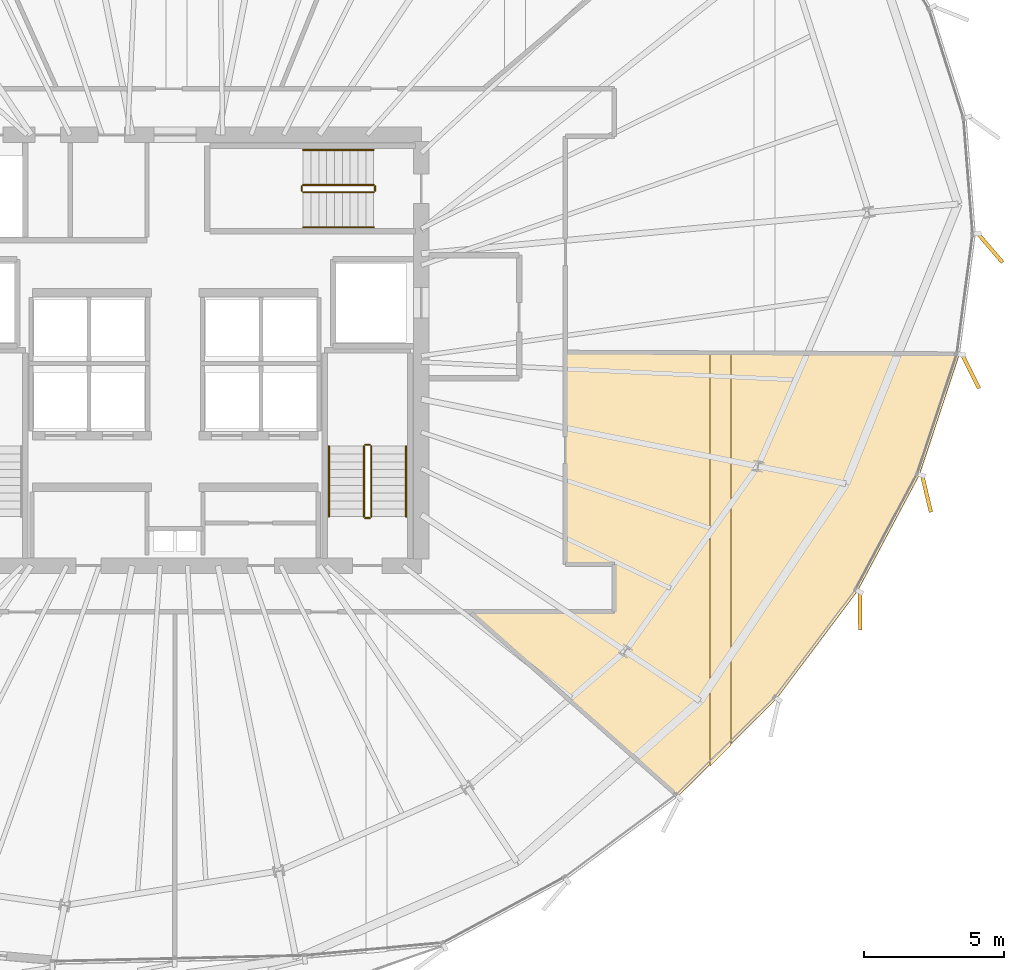
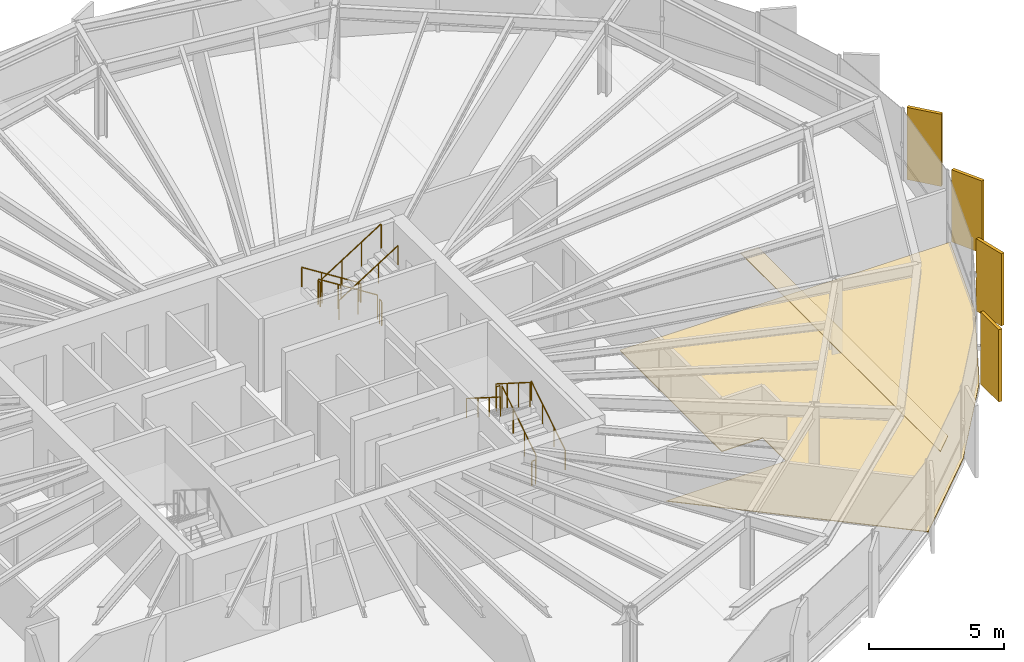
# One storey, part 36 of 37: 12 railings, 6 coverings.
"""IFC4 building model written with IfcOpenShell, lengths in metres."""

from ifc_helpers import new_model, si_unit, direction, frame, origin, origin_2d, place, context, subcontext, project, spatial, polyline, rectangle, circle, outline, extrude, source, transform, mapped, material, layer, layer_set, type_object, element, save


model = new_model("IFC4")

# Units and contexts
model_context = context("Model", 3, precision=1e-05, world=origin(), true_north=direction((0.0, 1.0)))
body_context = subcontext(model_context, "Body", "Model", "MODEL_VIEW")
ifc_project = project(units=[si_unit("LENGTHUNIT", "METRE"), si_unit("AREAUNIT", "SQUARE_METRE"), si_unit("VOLUMEUNIT", "CUBIC_METRE"), si_unit("PLANEANGLEUNIT", "RADIAN"), si_unit("MASSUNIT", "GRAM", prefix="KILO"), si_unit("THERMODYNAMICTEMPERATUREUNIT", "KELVIN")], contexts=[model_context])

# Site, building, storey
site_placement = place(None, origin())
site = spatial("IfcSite", under=ifc_project, at=site_placement, CompositionType="ELEMENT")
building_placement = place(site_placement, origin())
building = spatial("IfcBuilding", under=site, at=building_placement, Name="Kethvar Cultural Tower", CompositionType="ELEMENT")
storey_placement = place(building_placement, frame((0.0, 0.0, 132.35009765625)))
storey = spatial("IfcBuildingStorey", under=building, at=storey_placement, Name="L33", CompositionType="ELEMENT", Elevation=132.35009765625)

# Coverings
ifc_material_1 = material(Name="Acoustic Mineral Fibre Ceiling")
ifc_layer_1 = layer(ifc_material_1, 0.0400390625, Name="Acoustic Mineral Fibre Ceiling")
ifc_layer_set_1 = layer_set([ifc_layer_1], Name="Acoustic Mineral Fibre Ceiling (40 mm)")
covering_type_1 = type_object("IfcCoveringType", Name="CV-ACOUSTIC-CEIL", PredefinedType="CEILING", material=ifc_layer_set_1)
covering_1_placement = place(storey_placement, frame((0.0, 0.0, 2.559814453125)))
element("IfcCovering", 1, at=covering_1_placement, inside=storey, type_object=covering_type_1, Name="L33 Room 03 Acoustic Ceiling Panel", PredefinedType="CEILING", context=body_context, shape_type="SweptSolid", body=[
    extrude(outline(polyline([(65.927978515625, 12.941162109375), (65.927978515625, 27.72119140625), (66.677978515625, 27.71728515625), (66.677978515625, 13.682861328125), (65.927978515625, 12.941162109375)])), origin(), (0.0, 0.0, 1.0), 0.0400390625),
])
ifc_material_2 = material(Name="Honed Warm Limestone", Category="masonry")
ifc_layer_2 = layer(ifc_material_2, 0.030029296875, Name="Honed Warm Limestone", Category="masonry")
ifc_layer_set_2 = layer_set([ifc_layer_2], Name="Honed Warm Limestone (30 mm)")
covering_type_2 = type_object("IfcCoveringType", Name="CV-STONE-FLOOR", PredefinedType="FLOORING", material=ifc_layer_set_2)
covering_2_placement = place(storey_placement, origin())
element("IfcCovering", 2, at=covering_2_placement, inside=storey, type_object=covering_type_2, Name="L33 Room 03 Floor Finish", PredefinedType="FLOORING", context=body_context, shape_type="SweptSolid", body=[
    extrude(outline(polyline([(73.412353515625, 23.360107421875), (71.198486328125, 19.2041015625), (68.28466796875, 15.328125), (64.78662109375, 11.868408203125), (57.39111328125, 18.429931640625), (62.5185546875, 18.4423828125), (62.51416015625, 20.1640625), (60.77001953125, 20.169921875), (60.77001953125, 27.707763671875), (74.82861328125, 27.635009765625), (73.412353515625, 23.360107421875)])), origin(), (0.0, 0.0, 1.0), 0.02978515625),
])

# Railings
ifc_material_3 = material(Name="Steel S355J2", Category="steel")
railing_type_1 = type_object("IfcRailingType", Name="RL-STAIR-GUARD", PredefinedType="BALUSTRADE", material=ifc_material_3)
railing_1_placement = place(storey_placement, frame((53.81005859375, 21.85009765625, 0.177490234375)))
element("IfcRailing", 3, at=railing_1_placement, inside=storey, type_object=railing_type_1, Name="L33 ST-02 stair guard 1", PredefinedType="BALUSTRADE", context=body_context, shape_type="SweptSolid", body=[
    extrude(circle(Radius=0.02392578125, at=origin_2d()), frame((0.0, 0.0, 1.09619140625), z_axis=(0.0, 0.84460694969, 0.535386869969), x_axis=(-1.0, 0.0, 0.0)), (0.0, 0.0, 1.0), 2.983642578125),
    extrude(circle(Radius=0.02099609375, at=origin_2d()), origin(), (0.0, 0.0, 1.0), 1.072021484375),
    extrude(circle(Radius=0.02099609375, at=origin_2d()), frame((0.0, 0.840087890625, 0.532470703125)), (0.0, 0.0, 1.0), 1.072021484375),
    extrude(circle(Radius=0.02099609375, at=origin_2d()), frame((0.0, 1.679931640625, 1.06494140625)), (0.0, 0.0, 1.0), 1.072021484375),
    extrude(circle(Radius=0.02099609375, at=origin_2d()), frame((0.0, 2.52001953125, 1.597412109375)), (0.0, 0.0, 1.0), 1.072021484375),
])
railing_2_placement = place(storey_placement, frame((53.760009765625, 24.419921875, 1.77490234375)))
element("IfcRailing", 4, at=railing_2_placement, inside=storey, type_object=railing_type_1, Name="L33 ST-02 stair guard 2", PredefinedType="BALUSTRADE", context=body_context, shape_type="SweptSolid", body=[
    extrude(circle(Radius=0.02392578125, at=origin_2d()), frame((0.0, 0.0, 1.09619140625), z_axis=(-1.0, 0.0, 0.0), x_axis=(0.0, -1.0, 0.0)), (0.0, 0.0, 1.0), 0.159912109375),
    extrude(circle(Radius=0.02099609375, at=origin_2d()), origin(), (0.0, 0.0, 1.0), 1.072021484375),
    extrude(circle(Radius=0.02099609375, at=origin_2d()), frame((-0.159912109375, 0.0, 0.0)), (0.0, 0.0, 1.0), 1.072021484375),
])
railing_3_placement = place(storey_placement, frame((53.550048828125, 24.3701171875, 1.952392578125)))
element("IfcRailing", 5, at=railing_3_placement, inside=storey, type_object=railing_type_1, Name="L33 ST-02 stair guard 3", PredefinedType="BALUSTRADE", context=body_context, shape_type="SweptSolid", body=[
    extrude(circle(Radius=0.02392578125, at=origin_2d()), frame((0.0, 0.0, 1.09619140625), z_axis=(0.0, -0.84460694969, 0.535386869969), x_axis=(1.0, 0.0, 0.0)), (0.0, 0.0, 1.0), 2.983642578125),
    extrude(circle(Radius=0.02099609375, at=origin_2d()), origin(), (0.0, 0.0, 1.0), 1.072021484375),
    extrude(circle(Radius=0.02099609375, at=origin_2d()), frame((0.0, -0.840087890625, 0.532470703125)), (0.0, 0.0, 1.0), 1.072021484375),
    extrude(circle(Radius=0.02099609375, at=origin_2d()), frame((0.0, -1.679931640625, 1.06494140625)), (0.0, 0.0, 1.0), 1.072021484375),
    extrude(circle(Radius=0.02099609375, at=origin_2d()), frame((0.0, -2.52001953125, 1.597412109375)), (0.0, 0.0, 1.0), 1.072021484375),
])
railing_4_placement = place(storey_placement, frame((53.760009765625, 21.800048828125, 0.0)))
element("IfcRailing", 6, at=railing_4_placement, inside=storey, type_object=railing_type_1, Name="L33 ST-02 stair guard 4", PredefinedType="BALUSTRADE", context=body_context, shape_type="SweptSolid", body=[
    extrude(circle(Radius=0.02392578125, at=origin_2d()), frame((0.0, 0.0, 1.09619140625), z_axis=(-1.0, 0.0, 0.0), x_axis=(0.0, -1.0, 0.0)), (0.0, 0.0, 1.0), 0.159912109375),
    extrude(circle(Radius=0.02099609375, at=origin_2d()), origin(), (0.0, 0.0, 1.0), 1.072021484375),
    extrude(circle(Radius=0.02099609375, at=origin_2d()), frame((-0.159912109375, 0.0, 0.0)), (0.0, 0.0, 1.0), 1.072021484375),
])
railing_5_placement = place(storey_placement, frame((53.89990234375, 33.7099609375, 0.177490234375)))
element("IfcRailing", 7, at=railing_5_placement, inside=storey, type_object=railing_type_1, Name="L33 ST-03 stair guard 1", PredefinedType="BALUSTRADE", context=body_context, shape_type="SweptSolid", body=[
    extrude(circle(Radius=0.02392578125, at=origin_2d()), frame((0.0, 0.0, 1.09619140625), z_axis=(-0.84460694969, 0.0, 0.535386869969), x_axis=(0.0, -1.0, 0.0)), (0.0, 0.0, 1.0), 2.983642578125),
    extrude(circle(Radius=0.02099609375, at=origin_2d()), origin(), (0.0, 0.0, 1.0), 1.072021484375),
    extrude(circle(Radius=0.02099609375, at=origin_2d()), frame((-0.840087890625, 0.0, 0.532470703125)), (0.0, 0.0, 1.0), 1.072021484375),
    extrude(circle(Radius=0.02099609375, at=origin_2d()), frame((-1.679931640625, 0.0, 1.06494140625)), (0.0, 0.0, 1.0), 1.072021484375),
    extrude(circle(Radius=0.02099609375, at=origin_2d()), frame((-2.52001953125, 0.0, 1.597412109375)), (0.0, 0.0, 1.0), 1.072021484375),
])
railing_6_placement = place(storey_placement, frame((51.330078125, 33.659912109375, 1.77490234375)))
element("IfcRailing", 8, at=railing_6_placement, inside=storey, type_object=railing_type_1, Name="L33 ST-03 stair guard 2", PredefinedType="BALUSTRADE", context=body_context, shape_type="SweptSolid", body=[
    extrude(circle(Radius=0.02392578125, at=origin_2d()), frame((0.0, 0.0, 1.09619140625), z_axis=(0.0, -1.0, 0.0), x_axis=(1.0, 0.0, 0.0)), (0.0, 0.0, 1.0), 0.159912109375),
    extrude(circle(Radius=0.02099609375, at=origin_2d()), origin(), (0.0, 0.0, 1.0), 1.072021484375),
    extrude(circle(Radius=0.02099609375, at=origin_2d()), frame((0.0, -0.159912109375, 0.0)), (0.0, 0.0, 1.0), 1.072021484375),
])
railing_7_placement = place(storey_placement, frame((51.3798828125, 33.449951171875, 1.952392578125)))
element("IfcRailing", 9, at=railing_7_placement, inside=storey, type_object=railing_type_1, Name="L33 ST-03 stair guard 3", PredefinedType="BALUSTRADE", context=body_context, shape_type="SweptSolid", body=[
    extrude(circle(Radius=0.02392578125, at=origin_2d()), frame((0.0, 0.0, 1.09619140625), z_axis=(0.84460694969, 0.0, 0.535386869969), x_axis=(0.0, 1.0, 0.0)), (0.0, 0.0, 1.0), 2.983642578125),
    extrude(circle(Radius=0.02099609375, at=origin_2d()), origin(), (0.0, 0.0, 1.0), 1.072021484375),
    extrude(circle(Radius=0.02099609375, at=origin_2d()), frame((0.840087890625, 0.0, 0.532470703125)), (0.0, 0.0, 1.0), 1.072021484375),
    extrude(circle(Radius=0.02099609375, at=origin_2d()), frame((1.679931640625, 0.0, 1.06494140625)), (0.0, 0.0, 1.0), 1.072021484375),
    extrude(circle(Radius=0.02099609375, at=origin_2d()), frame((2.52001953125, 0.0, 1.597412109375)), (0.0, 0.0, 1.0), 1.072021484375),
])
railing_8_placement = place(storey_placement, frame((53.949951171875, 33.659912109375, 0.0)))
element("IfcRailing", 10, at=railing_8_placement, inside=storey, type_object=railing_type_1, Name="L33 ST-03 stair guard 4", PredefinedType="BALUSTRADE", context=body_context, shape_type="SweptSolid", body=[
    extrude(circle(Radius=0.02392578125, at=origin_2d()), frame((0.0, 0.0, 1.09619140625), z_axis=(0.0, -1.0, 0.0), x_axis=(1.0, 0.0, 0.0)), (0.0, 0.0, 1.0), 0.159912109375),
    extrude(circle(Radius=0.02099609375, at=origin_2d()), origin(), (0.0, 0.0, 1.0), 1.072021484375),
    extrude(circle(Radius=0.02099609375, at=origin_2d()), frame((0.0, -0.159912109375, 0.0)), (0.0, 0.0, 1.0), 1.072021484375),
])
railing_type_2 = type_object("IfcRailingType", Name="RL-STAIR-HANDRAIL", PredefinedType="HANDRAIL", material=ifc_material_3)
railing_9_placement = place(storey_placement, frame((55.06005859375, 21.85009765625, 0.177490234375)))
element("IfcRailing", 11, at=railing_9_placement, inside=storey, type_object=railing_type_2, Name="L33 ST-02 stair handrail 1", PredefinedType="HANDRAIL", context=body_context, shape_type="SweptSolid", body=[
    extrude(circle(Radius=0.02392578125, at=origin_2d()), frame((0.0, 0.0, 0.8759765625), z_axis=(0.0, 0.84460694969, 0.535386869969), x_axis=(-1.0, 0.0, 0.0)), (0.0, 0.0, 1.0), 2.983642578125),
    extrude(circle(Radius=0.02099609375, at=origin_2d()), origin(), (0.0, 0.0, 1.0), 0.851806640625),
    extrude(circle(Radius=0.02099609375, at=origin_2d()), frame((0.0, 0.840087890625, 0.532470703125)), (0.0, 0.0, 1.0), 0.851806640625),
    extrude(circle(Radius=0.02099609375, at=origin_2d()), frame((0.0, 1.679931640625, 1.06494140625)), (0.0, 0.0, 1.0), 0.851806640625),
    extrude(circle(Radius=0.02099609375, at=origin_2d()), frame((0.0, 2.52001953125, 1.597412109375)), (0.0, 0.0, 1.0), 0.851806640625),
])
railing_10_placement = place(storey_placement, frame((52.300048828125, 24.3701171875, 1.952392578125)))
element("IfcRailing", 12, at=railing_10_placement, inside=storey, type_object=railing_type_2, Name="L33 ST-02 stair handrail 2", PredefinedType="HANDRAIL", context=body_context, shape_type="SweptSolid", body=[
    extrude(circle(Radius=0.02392578125, at=origin_2d()), frame((0.0, 0.0, 0.8759765625), z_axis=(0.0, -0.84460694969, 0.535386869969), x_axis=(1.0, 0.0, 0.0)), (0.0, 0.0, 1.0), 2.983642578125),
    extrude(circle(Radius=0.02099609375, at=origin_2d()), origin(), (0.0, 0.0, 1.0), 0.851806640625),
    extrude(circle(Radius=0.02099609375, at=origin_2d()), frame((0.0, -0.840087890625, 0.532470703125)), (0.0, 0.0, 1.0), 0.851806640625),
    extrude(circle(Radius=0.02099609375, at=origin_2d()), frame((0.0, -1.679931640625, 1.06494140625)), (0.0, 0.0, 1.0), 0.851806640625),
    extrude(circle(Radius=0.02099609375, at=origin_2d()), frame((0.0, -2.52001953125, 1.597412109375)), (0.0, 0.0, 1.0), 0.851806640625),
])
railing_11_placement = place(storey_placement, frame((53.89990234375, 34.9599609375, 0.177490234375)))
element("IfcRailing", 13, at=railing_11_placement, inside=storey, type_object=railing_type_2, Name="L33 ST-03 stair handrail 1", PredefinedType="HANDRAIL", context=body_context, shape_type="SweptSolid", body=[
    extrude(circle(Radius=0.02392578125, at=origin_2d()), frame((0.0, 0.0, 0.8759765625), z_axis=(-0.84460694969, 0.0, 0.535386869969), x_axis=(0.0, -1.0, 0.0)), (0.0, 0.0, 1.0), 2.983642578125),
    extrude(circle(Radius=0.02099609375, at=origin_2d()), origin(), (0.0, 0.0, 1.0), 0.851806640625),
    extrude(circle(Radius=0.02099609375, at=origin_2d()), frame((-0.840087890625, 0.0, 0.532470703125)), (0.0, 0.0, 1.0), 0.851806640625),
    extrude(circle(Radius=0.02099609375, at=origin_2d()), frame((-1.679931640625, 0.0, 1.06494140625)), (0.0, 0.0, 1.0), 0.851806640625),
    extrude(circle(Radius=0.02099609375, at=origin_2d()), frame((-2.52001953125, 0.0, 1.597412109375)), (0.0, 0.0, 1.0), 0.851806640625),
])
railing_12_placement = place(storey_placement, frame((51.3798828125, 32.199951171875, 1.952392578125)))
element("IfcRailing", 14, at=railing_12_placement, inside=storey, type_object=railing_type_2, Name="L33 ST-03 stair handrail 2", PredefinedType="HANDRAIL", context=body_context, shape_type="SweptSolid", body=[
    extrude(circle(Radius=0.02392578125, at=origin_2d()), frame((0.0, 0.0, 0.8759765625), z_axis=(0.84460694969, 0.0, 0.535386869969), x_axis=(0.0, 1.0, 0.0)), (0.0, 0.0, 1.0), 2.983642578125),
    extrude(circle(Radius=0.02099609375, at=origin_2d()), origin(), (0.0, 0.0, 1.0), 0.851806640625),
    extrude(circle(Radius=0.02099609375, at=origin_2d()), frame((0.840087890625, 0.0, 0.532470703125)), (0.0, 0.0, 1.0), 0.851806640625),
    extrude(circle(Radius=0.02099609375, at=origin_2d()), frame((1.679931640625, 0.0, 1.06494140625)), (0.0, 0.0, 1.0), 0.851806640625),
    extrude(circle(Radius=0.02099609375, at=origin_2d()), frame((2.52001953125, 0.0, 1.597412109375)), (0.0, 0.0, 1.0), 0.851806640625),
])

# Coverings
ifc_material_4 = material(Name="Extruded Architectural Terracotta", Category="masonry")
ifc_layer_3 = layer(ifc_material_4, 0.135009765625, Name="Extruded Architectural Terracotta", Category="masonry")
ifc_layer_set_3 = layer_set([ifc_layer_3], Name="Extruded Architectural Terracotta (135 mm)")
covering_type_3 = type_object("IfcCoveringType", Name="Terracotta Facade Fin FIN-02", PredefinedType="CLADDING", material=ifc_layer_set_3)
shared_shape = source(origin(), body_context, "Body", "SweptSolid", [
    extrude(rectangle(XDim=1.35009765625, YDim=0.135009765625, at=origin_2d()), origin(), (0.0, 0.0, 1.0), 3.260009765625),
])
for number, where, z_axis, x_axis, name in (
    (15, (71.288330078125, 18.480712890625, 0.02001953125), (0.0, 0.0, 1.0), (0.003316119501, -0.999994501661, 0.0), "L33 Vertical Terracotta Fin 6.2"),
    (16, (73.66357421875, 22.670654296875, 0.02001953125), (0.0, 0.0, 1.0), (0.232257215962, -0.97265440195, 0.0), "L33 Vertical Terracotta Fin 6.3"),
    (17, (75.239990234375, 27.0419921875, 0.02001953125), (0.0, 0.0, 1.0), (0.451344835704, -0.892349617181, 0.0), "L33 Vertical Terracotta Fin 6.4"),
    (18, (75.9423828125, 31.453125, 0.02001953125), (0.0, 0.0, 1.0), (0.650774217266, -0.759271307335, 0.0), "L33 Vertical Terracotta Fin 6.5"),
):
    element("IfcCovering", number, at=place(storey_placement, frame(where, z_axis=z_axis, x_axis=x_axis)), inside=storey, type_object=covering_type_3, Name=name, PredefinedType="CLADDING", context=body_context, shape_type="MappedRepresentation", body=[
        mapped(shared_shape, transform((0.0, 0.0, 0.0), scale=1.0)),
    ])

save(model, "model.ifc")
